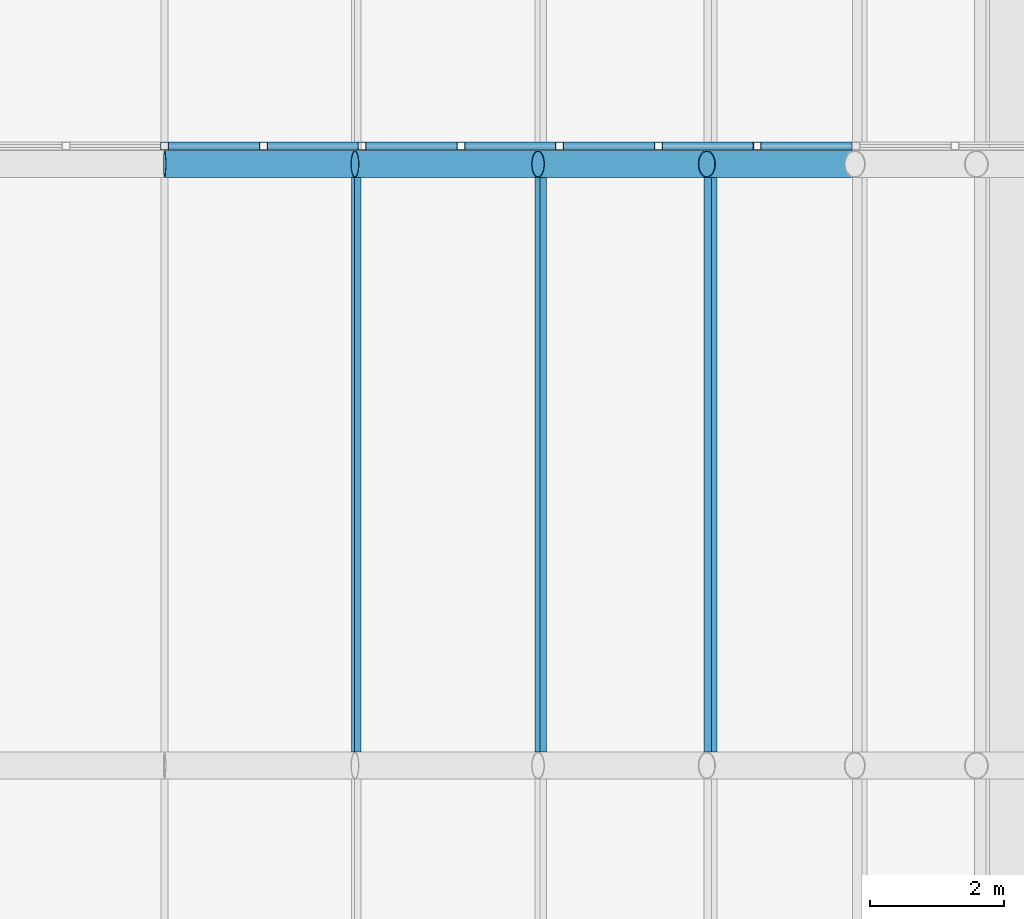
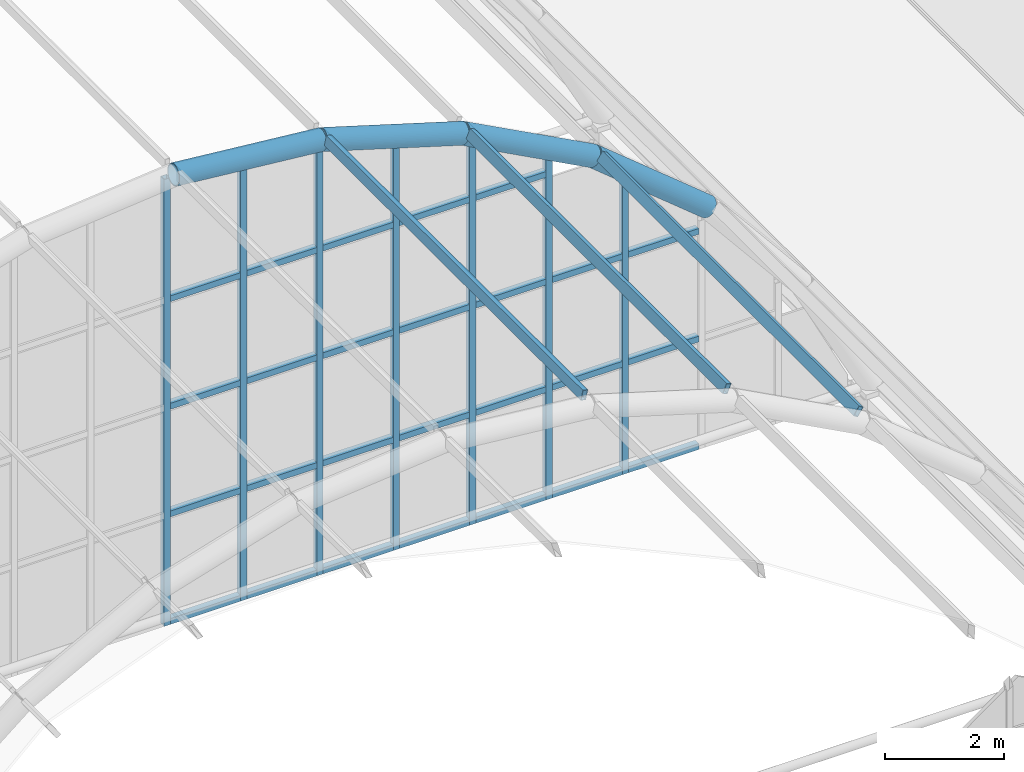
# One storey, part 37 of 121: 40 members, 1 element without a shape of its own.
"""IFC4 building model written with IfcOpenShell, lengths in metres."""

from ifc_helpers import new_model, si_unit, direction, frame, origin, origin_2d, place, context, subcontext, project, spatial, hollow_rectangle, hollow_circle, extrude, material, material_profile, profile_set, type_object, element, aggregate, save


model = new_model("IFC4")

# Units and contexts
model_context = context("Model", 3, precision=1e-05, world=origin(), true_north=direction((0.0, 1.0)))
body_context = subcontext(model_context, "Body", "Model", "MODEL_VIEW")
ifc_project = project(units=[si_unit("LENGTHUNIT", "METRE"), si_unit("AREAUNIT", "SQUARE_METRE"), si_unit("VOLUMEUNIT", "CUBIC_METRE"), si_unit("PLANEANGLEUNIT", "RADIAN"), si_unit("MASSUNIT", "GRAM", prefix="KILO")], contexts=[model_context])

# Site, building, storey
site_placement = place(None, origin())
site = spatial("IfcSite", under=ifc_project, at=site_placement, CompositionType="ELEMENT")
building_placement = place(site_placement, origin())
building = spatial("IfcBuilding", under=site, at=building_placement, Name="Golden Quay Civic Hall", CompositionType="ELEMENT")
storey_placement = place(building_placement, frame((0.0, 0.0, 18.60009765625)))
storey = spatial("IfcBuildingStorey", under=building, at=storey_placement, Name="L04", CompositionType="ELEMENT", Elevation=18.60009765625)

# Curtain wall, members
ifc_material_1 = material(Name="Fire-resisting glass and steel", Category="steel")
curtain_wall_type = type_object("IfcCurtainWallType", Name="Fire-resisting glazed curtain wall EI 120", PredefinedType="NOTDEFINED", material=ifc_material_1)
curtain_wall_placement = place(storey_placement, origin())
curtain_wall = element("IfcCurtainWall", 1, at=curtain_wall_placement, inside=storey, type_object=curtain_wall_type, Name="Curtain wall tympanum fire2", PredefinedType="NOTDEFINED")
ifc_material_2 = material(Name="Steel S355", Category="steel")
ifc_material_profile_1 = material_profile(ifc_material_2, hollow_rectangle(XDim=0.1201171875, YDim=0.1201171875, WallThickness=0.008056640625, at=origin_2d()), Name="SHS 120x120x8")
ifc_profile_set_1 = profile_set([ifc_material_profile_1], Name="Steel S355")
member_type_1 = type_object("IfcMemberType", Name="Fire-resisting steel mullion SHS 120x120x8", PredefinedType="MULLION", material=ifc_profile_set_1)
member_1_placement = place(storey_placement, frame((85.5, 36.27001953125, -0.25), z_axis=(0.0, 0.0, 1.0), x_axis=(0.0, 1.0, 0.0)))
member_1 = element("IfcMember", 2, at=member_1_placement, type_object=member_type_1, Name="Tympanum mullion 10", PredefinedType="MULLION", context=body_context, shape_type="SweptSolid", body=[
    extrude(hollow_rectangle(XDim=0.1201171875, YDim=0.1201171875, WallThickness=0.008056640625, at=origin_2d()), origin(), (0.0, 0.0, 1.0), 9.139892578125),
])
member_2_placement = place(storey_placement, frame((86.977783203125, 36.27001953125, -0.25), z_axis=(0.0, 0.0, 1.0), x_axis=(0.0, 1.0, 0.0)))
member_2 = element("IfcMember", 3, at=member_2_placement, type_object=member_type_1, Name="Tympanum mullion 11", PredefinedType="MULLION", context=body_context, shape_type="SweptSolid", body=[
    extrude(hollow_rectangle(XDim=0.1201171875, YDim=0.1201171875, WallThickness=0.008056640625, at=origin_2d()), origin(), (0.0, 0.0, 1.0), 8.99462890625),
])
member_3_placement = place(storey_placement, frame((88.45556640625, 36.27001953125, -0.25), z_axis=(0.0, 0.0, 1.0), x_axis=(0.0, 1.0, 0.0)))
member_3 = element("IfcMember", 4, at=member_3_placement, type_object=member_type_1, Name="Tympanum mullion 12", PredefinedType="MULLION", context=body_context, shape_type="SweptSolid", body=[
    extrude(hollow_rectangle(XDim=0.1201171875, YDim=0.1201171875, WallThickness=0.008056640625, at=origin_2d()), origin(), (0.0, 0.0, 1.0), 8.806884765625),
])
member_4_placement = place(storey_placement, frame((89.933349609375, 36.27001953125, -0.25), z_axis=(0.0, 0.0, 1.0), x_axis=(0.0, 1.0, 0.0)))
member_4 = element("IfcMember", 5, at=member_4_placement, type_object=member_type_1, Name="Tympanum mullion 13", PredefinedType="MULLION", context=body_context, shape_type="SweptSolid", body=[
    extrude(hollow_rectangle(XDim=0.1201171875, YDim=0.1201171875, WallThickness=0.008056640625, at=origin_2d()), origin(), (0.0, 0.0, 1.0), 8.359375),
])
member_5_placement = place(storey_placement, frame((91.4111328125, 36.27001953125, -0.25), z_axis=(0.0, 0.0, 1.0), x_axis=(0.0, 1.0, 0.0)))
member_5 = element("IfcMember", 6, at=member_5_placement, type_object=member_type_1, Name="Tympanum mullion 14", PredefinedType="MULLION", context=body_context, shape_type="SweptSolid", body=[
    extrude(hollow_rectangle(XDim=0.1201171875, YDim=0.1201171875, WallThickness=0.008056640625, at=origin_2d()), origin(), (0.0, 0.0, 1.0), 7.805419921875),
])
member_6_placement = place(storey_placement, frame((92.888916015625, 36.27001953125, -0.25), z_axis=(0.0, 0.0, 1.0), x_axis=(0.0, 1.0, 0.0)))
member_6 = element("IfcMember", 7, at=member_6_placement, type_object=member_type_1, Name="Tympanum mullion 15", PredefinedType="MULLION", context=body_context, shape_type="SweptSolid", body=[
    extrude(hollow_rectangle(XDim=0.1201171875, YDim=0.1201171875, WallThickness=0.008056640625, at=origin_2d()), origin(), (0.0, 0.0, 1.0), 7.017333984375),
])
member_7_placement = place(storey_placement, frame((94.36669921875, 36.27001953125, -0.25), z_axis=(0.0, 0.0, 1.0), x_axis=(0.0, 1.0, 0.0)))
member_7 = element("IfcMember", 8, at=member_7_placement, type_object=member_type_1, Name="Tympanum mullion 16", PredefinedType="MULLION", context=body_context, shape_type="SweptSolid", body=[
    extrude(hollow_rectangle(XDim=0.1201171875, YDim=0.1201171875, WallThickness=0.008056640625, at=origin_2d()), origin(), (0.0, 0.0, 1.0), 5.964599609375),
])
ifc_material_3 = material(Name="Steel S355", Category="steel")
ifc_material_profile_2 = material_profile(ifc_material_3, hollow_rectangle(XDim=0.1201171875, YDim=0.1201171875, WallThickness=0.008056640625, at=origin_2d()), Name="SHS 120x120x8")
ifc_profile_set_2 = profile_set([ifc_material_profile_2], Name="Steel S355")
member_type_2 = type_object("IfcMemberType", Name="Fire-resisting steel transom SHS 120x120x8", PredefinedType="USERDEFINED", material=ifc_profile_set_2)
member_8_placement = place(storey_placement, frame((85.56005859375, 36.27001953125, -0.190185546875), z_axis=(1.0, 0.0, 0.0), x_axis=(0.0, 1.0, 0.0)))
member_8 = element("IfcMember", 9, at=member_8_placement, type_object=member_type_2, Name="Tympanum transom 10.1", ObjectType="TRANSOM", PredefinedType="USERDEFINED", context=body_context, shape_type="SweptSolid", body=[
    extrude(hollow_rectangle(XDim=0.1201171875, YDim=0.1201171875, WallThickness=0.008056640625, at=origin_2d()), origin(), (0.0, 0.0, 1.0), 1.357666015625),
])
member_9_placement = place(storey_placement, frame((85.56005859375, 36.27001953125, 2.010009765625), z_axis=(1.0, 0.0, 0.0), x_axis=(0.0, 1.0, 0.0)))
member_9 = element("IfcMember", 10, at=member_9_placement, type_object=member_type_2, Name="Tympanum transom 10.2", ObjectType="TRANSOM", PredefinedType="USERDEFINED", context=body_context, shape_type="SweptSolid", body=[
    extrude(hollow_rectangle(XDim=0.1201171875, YDim=0.1201171875, WallThickness=0.008056640625, at=origin_2d()), origin(), (0.0, 0.0, 1.0), 1.357666015625),
])
member_10_placement = place(storey_placement, frame((85.56005859375, 36.27001953125, 4.2099609375), z_axis=(1.0, 0.0, 0.0), x_axis=(0.0, 1.0, 0.0)))
member_10 = element("IfcMember", 11, at=member_10_placement, type_object=member_type_2, Name="Tympanum transom 10.3", ObjectType="TRANSOM", PredefinedType="USERDEFINED", context=body_context, shape_type="SweptSolid", body=[
    extrude(hollow_rectangle(XDim=0.1201171875, YDim=0.1201171875, WallThickness=0.008056640625, at=origin_2d()), origin(), (0.0, 0.0, 1.0), 1.357666015625),
])
member_11_placement = place(storey_placement, frame((85.56005859375, 36.27001953125, 6.409912109375), z_axis=(1.0, 0.0, 0.0), x_axis=(0.0, 1.0, 0.0)))
member_11 = element("IfcMember", 12, at=member_11_placement, type_object=member_type_2, Name="Tympanum transom 10.4", ObjectType="TRANSOM", PredefinedType="USERDEFINED", context=body_context, shape_type="SweptSolid", body=[
    extrude(hollow_rectangle(XDim=0.1201171875, YDim=0.1201171875, WallThickness=0.008056640625, at=origin_2d()), origin(), (0.0, 0.0, 1.0), 1.357666015625),
])
member_12_placement = place(storey_placement, frame((87.037841796875, 36.27001953125, -0.190185546875), z_axis=(1.0, 0.0, 0.0), x_axis=(0.0, 1.0, 0.0)))
member_12 = element("IfcMember", 13, at=member_12_placement, type_object=member_type_2, Name="Tympanum transom 11.1", ObjectType="TRANSOM", PredefinedType="USERDEFINED", context=body_context, shape_type="SweptSolid", body=[
    extrude(hollow_rectangle(XDim=0.1201171875, YDim=0.1201171875, WallThickness=0.008056640625, at=origin_2d()), origin(), (0.0, 0.0, 1.0), 1.357666015625),
])
member_13_placement = place(storey_placement, frame((87.037841796875, 36.27001953125, 2.010009765625), z_axis=(1.0, 0.0, 0.0), x_axis=(0.0, 1.0, 0.0)))
member_13 = element("IfcMember", 14, at=member_13_placement, type_object=member_type_2, Name="Tympanum transom 11.2", ObjectType="TRANSOM", PredefinedType="USERDEFINED", context=body_context, shape_type="SweptSolid", body=[
    extrude(hollow_rectangle(XDim=0.1201171875, YDim=0.1201171875, WallThickness=0.008056640625, at=origin_2d()), origin(), (0.0, 0.0, 1.0), 1.357666015625),
])
member_14_placement = place(storey_placement, frame((87.037841796875, 36.27001953125, 4.2099609375), z_axis=(1.0, 0.0, 0.0), x_axis=(0.0, 1.0, 0.0)))
member_14 = element("IfcMember", 15, at=member_14_placement, type_object=member_type_2, Name="Tympanum transom 11.3", ObjectType="TRANSOM", PredefinedType="USERDEFINED", context=body_context, shape_type="SweptSolid", body=[
    extrude(hollow_rectangle(XDim=0.1201171875, YDim=0.1201171875, WallThickness=0.008056640625, at=origin_2d()), origin(), (0.0, 0.0, 1.0), 1.357666015625),
])
member_15_placement = place(storey_placement, frame((87.037841796875, 36.27001953125, 6.409912109375), z_axis=(1.0, 0.0, 0.0), x_axis=(0.0, 1.0, 0.0)))
member_15 = element("IfcMember", 16, at=member_15_placement, type_object=member_type_2, Name="Tympanum transom 11.4", ObjectType="TRANSOM", PredefinedType="USERDEFINED", context=body_context, shape_type="SweptSolid", body=[
    extrude(hollow_rectangle(XDim=0.1201171875, YDim=0.1201171875, WallThickness=0.008056640625, at=origin_2d()), origin(), (0.0, 0.0, 1.0), 1.357666015625),
])
member_16_placement = place(storey_placement, frame((88.515625, 36.27001953125, -0.190185546875), z_axis=(1.0, 0.0, 0.0), x_axis=(0.0, 1.0, 0.0)))
member_16 = element("IfcMember", 17, at=member_16_placement, type_object=member_type_2, Name="Tympanum transom 12.1", ObjectType="TRANSOM", PredefinedType="USERDEFINED", context=body_context, shape_type="SweptSolid", body=[
    extrude(hollow_rectangle(XDim=0.1201171875, YDim=0.1201171875, WallThickness=0.008056640625, at=origin_2d()), origin(), (0.0, 0.0, 1.0), 1.357666015625),
])
member_17_placement = place(storey_placement, frame((88.515625, 36.27001953125, 2.010009765625), z_axis=(1.0, 0.0, 0.0), x_axis=(0.0, 1.0, 0.0)))
member_17 = element("IfcMember", 18, at=member_17_placement, type_object=member_type_2, Name="Tympanum transom 12.2", ObjectType="TRANSOM", PredefinedType="USERDEFINED", context=body_context, shape_type="SweptSolid", body=[
    extrude(hollow_rectangle(XDim=0.1201171875, YDim=0.1201171875, WallThickness=0.008056640625, at=origin_2d()), origin(), (0.0, 0.0, 1.0), 1.357666015625),
])
member_18_placement = place(storey_placement, frame((88.515625, 36.27001953125, 4.2099609375), z_axis=(1.0, 0.0, 0.0), x_axis=(0.0, 1.0, 0.0)))
member_18 = element("IfcMember", 19, at=member_18_placement, type_object=member_type_2, Name="Tympanum transom 12.3", ObjectType="TRANSOM", PredefinedType="USERDEFINED", context=body_context, shape_type="SweptSolid", body=[
    extrude(hollow_rectangle(XDim=0.1201171875, YDim=0.1201171875, WallThickness=0.008056640625, at=origin_2d()), origin(), (0.0, 0.0, 1.0), 1.357666015625),
])
member_19_placement = place(storey_placement, frame((88.515625, 36.27001953125, 6.409912109375), z_axis=(1.0, 0.0, 0.0), x_axis=(0.0, 1.0, 0.0)))
member_19 = element("IfcMember", 20, at=member_19_placement, type_object=member_type_2, Name="Tympanum transom 12.4", ObjectType="TRANSOM", PredefinedType="USERDEFINED", context=body_context, shape_type="SweptSolid", body=[
    extrude(hollow_rectangle(XDim=0.1201171875, YDim=0.1201171875, WallThickness=0.008056640625, at=origin_2d()), origin(), (0.0, 0.0, 1.0), 1.357666015625),
])
member_20_placement = place(storey_placement, frame((89.993408203125, 36.27001953125, -0.190185546875), z_axis=(1.0, 0.0, 0.0), x_axis=(0.0, 1.0, 0.0)))
member_20 = element("IfcMember", 21, at=member_20_placement, type_object=member_type_2, Name="Tympanum transom 13.1", ObjectType="TRANSOM", PredefinedType="USERDEFINED", context=body_context, shape_type="SweptSolid", body=[
    extrude(hollow_rectangle(XDim=0.1201171875, YDim=0.1201171875, WallThickness=0.008056640625, at=origin_2d()), origin(), (0.0, 0.0, 1.0), 1.357666015625),
])
member_21_placement = place(storey_placement, frame((89.993408203125, 36.27001953125, 2.010009765625), z_axis=(1.0, 0.0, 0.0), x_axis=(0.0, 1.0, 0.0)))
member_21 = element("IfcMember", 22, at=member_21_placement, type_object=member_type_2, Name="Tympanum transom 13.2", ObjectType="TRANSOM", PredefinedType="USERDEFINED", context=body_context, shape_type="SweptSolid", body=[
    extrude(hollow_rectangle(XDim=0.1201171875, YDim=0.1201171875, WallThickness=0.008056640625, at=origin_2d()), origin(), (0.0, 0.0, 1.0), 1.357666015625),
])
member_22_placement = place(storey_placement, frame((89.993408203125, 36.27001953125, 4.2099609375), z_axis=(1.0, 0.0, 0.0), x_axis=(0.0, 1.0, 0.0)))
member_22 = element("IfcMember", 23, at=member_22_placement, type_object=member_type_2, Name="Tympanum transom 13.3", ObjectType="TRANSOM", PredefinedType="USERDEFINED", context=body_context, shape_type="SweptSolid", body=[
    extrude(hollow_rectangle(XDim=0.1201171875, YDim=0.1201171875, WallThickness=0.008056640625, at=origin_2d()), origin(), (0.0, 0.0, 1.0), 1.357666015625),
])
member_23_placement = place(storey_placement, frame((89.993408203125, 36.27001953125, 6.409912109375), z_axis=(1.0, 0.0, 0.0), x_axis=(0.0, 1.0, 0.0)))
member_23 = element("IfcMember", 24, at=member_23_placement, type_object=member_type_2, Name="Tympanum transom 13.4", ObjectType="TRANSOM", PredefinedType="USERDEFINED", context=body_context, shape_type="SweptSolid", body=[
    extrude(hollow_rectangle(XDim=0.1201171875, YDim=0.1201171875, WallThickness=0.008056640625, at=origin_2d()), origin(), (0.0, 0.0, 1.0), 1.357666015625),
])
member_24_placement = place(storey_placement, frame((91.47119140625, 36.27001953125, -0.190185546875), z_axis=(1.0, 0.0, 0.0), x_axis=(0.0, 1.0, 0.0)))
member_24 = element("IfcMember", 25, at=member_24_placement, type_object=member_type_2, Name="Tympanum transom 14.1", ObjectType="TRANSOM", PredefinedType="USERDEFINED", context=body_context, shape_type="SweptSolid", body=[
    extrude(hollow_rectangle(XDim=0.1201171875, YDim=0.1201171875, WallThickness=0.008056640625, at=origin_2d()), origin(), (0.0, 0.0, 1.0), 1.357666015625),
])
member_25_placement = place(storey_placement, frame((91.47119140625, 36.27001953125, 2.010009765625), z_axis=(1.0, 0.0, 0.0), x_axis=(0.0, 1.0, 0.0)))
member_25 = element("IfcMember", 26, at=member_25_placement, type_object=member_type_2, Name="Tympanum transom 14.2", ObjectType="TRANSOM", PredefinedType="USERDEFINED", context=body_context, shape_type="SweptSolid", body=[
    extrude(hollow_rectangle(XDim=0.1201171875, YDim=0.1201171875, WallThickness=0.008056640625, at=origin_2d()), origin(), (0.0, 0.0, 1.0), 1.357666015625),
])
member_26_placement = place(storey_placement, frame((91.47119140625, 36.27001953125, 4.2099609375), z_axis=(1.0, 0.0, 0.0), x_axis=(0.0, 1.0, 0.0)))
member_26 = element("IfcMember", 27, at=member_26_placement, type_object=member_type_2, Name="Tympanum transom 14.3", ObjectType="TRANSOM", PredefinedType="USERDEFINED", context=body_context, shape_type="SweptSolid", body=[
    extrude(hollow_rectangle(XDim=0.1201171875, YDim=0.1201171875, WallThickness=0.008056640625, at=origin_2d()), origin(), (0.0, 0.0, 1.0), 1.357666015625),
])
member_27_placement = place(storey_placement, frame((91.47119140625, 36.27001953125, 6.409912109375), z_axis=(1.0, 0.0, 0.0), x_axis=(0.0, 1.0, 0.0)))
member_27 = element("IfcMember", 28, at=member_27_placement, type_object=member_type_2, Name="Tympanum transom 14.4", ObjectType="TRANSOM", PredefinedType="USERDEFINED", context=body_context, shape_type="SweptSolid", body=[
    extrude(hollow_rectangle(XDim=0.1201171875, YDim=0.1201171875, WallThickness=0.008056640625, at=origin_2d()), origin(), (0.0, 0.0, 1.0), 1.357666015625),
])
member_28_placement = place(storey_placement, frame((92.948974609375, 36.27001953125, -0.190185546875), z_axis=(1.0, 0.0, 0.0), x_axis=(0.0, 1.0, 0.0)))
member_28 = element("IfcMember", 29, at=member_28_placement, type_object=member_type_2, Name="Tympanum transom 15.1", ObjectType="TRANSOM", PredefinedType="USERDEFINED", context=body_context, shape_type="SweptSolid", body=[
    extrude(hollow_rectangle(XDim=0.1201171875, YDim=0.1201171875, WallThickness=0.008056640625, at=origin_2d()), origin(), (0.0, 0.0, 1.0), 1.357666015625),
])
member_29_placement = place(storey_placement, frame((92.948974609375, 36.27001953125, 2.010009765625), z_axis=(1.0, 0.0, 0.0), x_axis=(0.0, 1.0, 0.0)))
member_29 = element("IfcMember", 30, at=member_29_placement, type_object=member_type_2, Name="Tympanum transom 15.2", ObjectType="TRANSOM", PredefinedType="USERDEFINED", context=body_context, shape_type="SweptSolid", body=[
    extrude(hollow_rectangle(XDim=0.1201171875, YDim=0.1201171875, WallThickness=0.008056640625, at=origin_2d()), origin(), (0.0, 0.0, 1.0), 1.357666015625),
])
member_30_placement = place(storey_placement, frame((92.948974609375, 36.27001953125, 4.2099609375), z_axis=(1.0, 0.0, 0.0), x_axis=(0.0, 1.0, 0.0)))
member_30 = element("IfcMember", 31, at=member_30_placement, type_object=member_type_2, Name="Tympanum transom 15.3", ObjectType="TRANSOM", PredefinedType="USERDEFINED", context=body_context, shape_type="SweptSolid", body=[
    extrude(hollow_rectangle(XDim=0.1201171875, YDim=0.1201171875, WallThickness=0.008056640625, at=origin_2d()), origin(), (0.0, 0.0, 1.0), 1.357666015625),
])
member_31_placement = place(storey_placement, frame((94.4267578125, 36.27001953125, -0.190185546875), z_axis=(1.0, 0.0, 0.0), x_axis=(0.0, 1.0, 0.0)))
member_31 = element("IfcMember", 32, at=member_31_placement, type_object=member_type_2, Name="Tympanum transom 16.1", ObjectType="TRANSOM", PredefinedType="USERDEFINED", context=body_context, shape_type="SweptSolid", body=[
    extrude(hollow_rectangle(XDim=0.1201171875, YDim=0.1201171875, WallThickness=0.008056640625, at=origin_2d()), origin(), (0.0, 0.0, 1.0), 1.357666015625),
])
member_32_placement = place(storey_placement, frame((94.4267578125, 36.27001953125, 2.010009765625), z_axis=(1.0, 0.0, 0.0), x_axis=(0.0, 1.0, 0.0)))
member_32 = element("IfcMember", 33, at=member_32_placement, type_object=member_type_2, Name="Tympanum transom 16.2", ObjectType="TRANSOM", PredefinedType="USERDEFINED", context=body_context, shape_type="SweptSolid", body=[
    extrude(hollow_rectangle(XDim=0.1201171875, YDim=0.1201171875, WallThickness=0.008056640625, at=origin_2d()), origin(), (0.0, 0.0, 1.0), 1.357666015625),
])
member_33_placement = place(storey_placement, frame((94.4267578125, 36.27001953125, 4.2099609375), z_axis=(1.0, 0.0, 0.0), x_axis=(0.0, 1.0, 0.0)))
member_33 = element("IfcMember", 34, at=member_33_placement, type_object=member_type_2, Name="Tympanum transom 16.3", ObjectType="TRANSOM", PredefinedType="USERDEFINED", context=body_context, shape_type="SweptSolid", body=[
    extrude(hollow_rectangle(XDim=0.1201171875, YDim=0.1201171875, WallThickness=0.008056640625, at=origin_2d()), origin(), (0.0, 0.0, 1.0), 1.357666015625),
])
aggregate(curtain_wall, [member_1, member_2, member_3, member_4, member_5, member_6, member_7, member_8, member_9, member_10, member_11, member_12, member_13, member_14, member_15, member_16, member_17, member_18, member_19, member_20, member_21, member_22, member_23, member_24, member_25, member_26, member_27, member_28, member_29, member_30, member_31, member_32, member_33])

# Members
ifc_material_4 = material(Name="Steel S355", Category="steel")
ifc_material_profile_3 = material_profile(ifc_material_4, hollow_circle(Radius=0.203125, WallThickness=0.01611328125, at=origin_2d()), Name="CHS 406.4x16")
ifc_profile_set_3 = profile_set([ifc_material_profile_3], Name="Steel S355")
member_type_3 = type_object("IfcMemberType", Name="Steel arch rib CHS 406.4x16", PredefinedType="USERDEFINED", material=ifc_profile_set_3)
member_34_placement = place(storey_placement, frame((85.5, 36.0, 9.099853515625), z_axis=(0.995201360973, 0.0, -0.097848102266), x_axis=(0.0, 1.0, 0.0)))
element("IfcMember", 35, at=member_34_placement, inside=storey, type_object=member_type_3, Name="Arch rib 5 segment 7", ObjectType="ARCH RIB", PredefinedType="USERDEFINED", context=body_context, shape_type="SweptSolid", body=[
    extrude(hollow_circle(Radius=0.203125, WallThickness=0.01611328125, at=origin_2d()), origin(), (0.0, 0.0, 1.0), 2.86181640625),
])
member_35_placement = place(storey_placement, frame((88.34814453125, 36.0, 8.81982421875), z_axis=(0.957095401463, 0.0, -0.289773001673), x_axis=(0.0, 1.0, 0.0)))
element("IfcMember", 36, at=member_35_placement, inside=storey, type_object=member_type_3, Name="Arch rib 5 segment 8", ObjectType="ARCH RIB", PredefinedType="USERDEFINED", context=body_context, shape_type="SweptSolid", body=[
    extrude(hollow_circle(Radius=0.203125, WallThickness=0.01611328125, at=origin_2d()), origin(), (0.0, 0.0, 1.0), 2.862060546875),
])
for number, where, z_axis, x_axis, name in (
    (37, (91.08740234375, 36.0, 7.990478515625), (0.882326964097, 0.0, -0.470636939082), (0.0, 1.0, 0.0), "Arch rib 5 segment 9"),
    (38, (93.612548828125, 36.0, 6.6435546875), (0.773786223221, 0.0, -0.633446825514), (0.0, 1.0, 0.0), "Arch rib 5 segment 10"),
):
    element("IfcMember", number, at=place(storey_placement, frame(where, z_axis=z_axis, x_axis=x_axis)), inside=storey, type_object=member_type_3, Name=name, ObjectType="ARCH RIB", PredefinedType="USERDEFINED", context=body_context, shape_type="SweptSolid", body=[
        extrude(hollow_circle(Radius=0.203125, WallThickness=0.01611328125, at=origin_2d()), origin(), (0.0, 0.0, 1.0), 2.86181640625),
    ])
ifc_material_5 = material(Name="Steel S355", Category="steel")
ifc_material_profile_4 = material_profile(ifc_material_5, hollow_rectangle(XDim=0.10009765625, YDim=0.199951171875, WallThickness=0.008056640625, at=origin_2d()), Name="RHS 200x100x8")
ifc_profile_set_4 = profile_set([ifc_material_profile_4], Name="Steel S355")
member_type_4 = type_object("IfcMemberType", Name="Steel purlin RHS 200x100x8", PredefinedType="PURLIN", material=ifc_profile_set_4)
for number, where, z_axis, x_axis, name in (
    (39, (88.368408203125, 27.203125, 8.921142578125), (0.0, 1.0, 0.0), (-0.98085324351, 0.0, 0.194748336824), "Purlin 4.8"),
    (40, (91.126708984375, 27.203125, 8.0859375), (0.0, 1.0, 0.0), (-0.924146170615, 0.0, 0.382039075668), "Purlin 4.9"),
    (41, (93.669677734375, 27.203125, 6.7294921875), (0.0, 1.0, 0.0), (-0.832050294338, 0.0, 0.554700196226), "Purlin 4.10"),
):
    element("IfcMember", number, at=place(storey_placement, frame(where, z_axis=z_axis, x_axis=x_axis)), inside=storey, type_object=member_type_4, Name=name, PredefinedType="PURLIN", context=body_context, shape_type="SweptSolid", body=[
        extrude(hollow_rectangle(XDim=0.10009765625, YDim=0.199951171875, WallThickness=0.008056640625, at=origin_2d()), origin(), (0.0, 0.0, 1.0), 8.59375),
    ])

save(model, "model.ifc")
